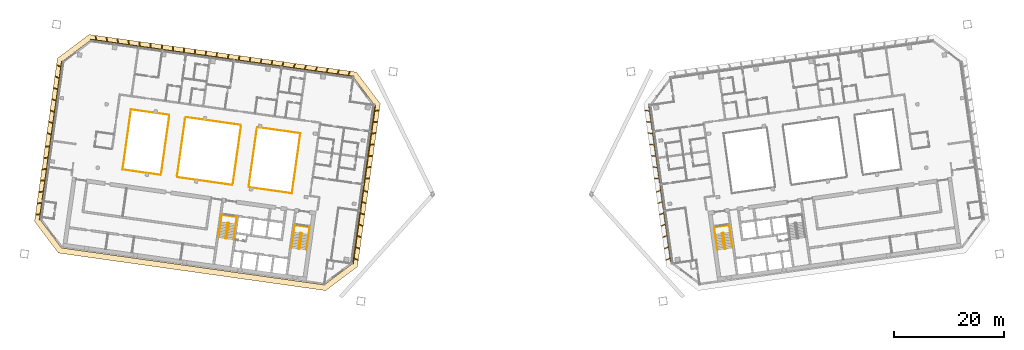
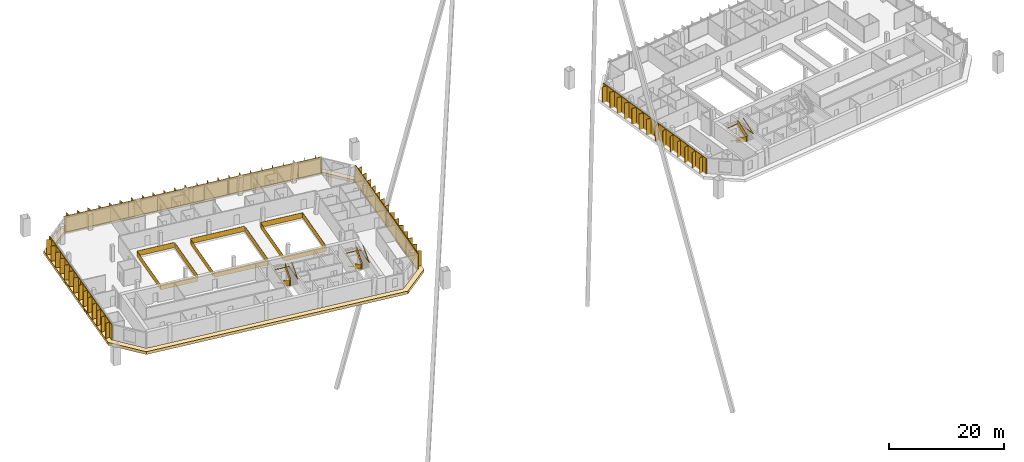
# One storey, part 25 of 26: 14 railings, 10 shading devices, 1 covering.
"""IFC4 building model written with IfcOpenShell, lengths in metres."""

from ifc_helpers import new_model, si_unit, direction, frame, origin, origin_2d, place, context, subcontext, project, spatial, polyline, rectangle, outline, extrude, material, layer, layer_set, type_object, element, save


model = new_model("IFC4")

# Units and contexts
model_context = context("Model", 3, precision=1e-05, world=origin(), true_north=direction((0.0, 1.0)))
body_context = subcontext(model_context, "Body", "Model", "MODEL_VIEW")
ifc_project = project(units=[si_unit("LENGTHUNIT", "METRE"), si_unit("AREAUNIT", "SQUARE_METRE"), si_unit("VOLUMEUNIT", "CUBIC_METRE"), si_unit("PLANEANGLEUNIT", "RADIAN"), si_unit("MASSUNIT", "GRAM", prefix="KILO")], contexts=[model_context])

# Site, building, storey
site_placement = place(None, origin())
site = spatial("IfcSite", under=ifc_project, at=site_placement, CompositionType="ELEMENT")
building_placement = place(site_placement, origin())
building = spatial("IfcBuilding", under=site, at=building_placement, Name="Mirante Cascada Hotel Towers", CompositionType="ELEMENT")
storey_placement = place(building_placement, frame((0.0, 0.0, 203.0)))
storey = spatial("IfcBuildingStorey", under=building, at=storey_placement, Name="L48", CompositionType="ELEMENT", Elevation=203.0)

# Railings
ifc_material_1 = material(Name="Toughened glass with stainless steel handrail", Category="steel")
railing_type_1 = type_object("IfcRailingType", Name="Atrium guard 1100 glass balustrade", PredefinedType="GUARDRAIL", material=ifc_material_1)
railing_1_placement = place(storey_placement, frame((-46.1612, 7.946, 0.0)))
element("IfcRailing", 1, at=railing_1_placement, inside=storey, type_object=railing_type_1, Name="GUARD 1-L48-1", PredefinedType="GUARDRAIL", context=body_context, shape_type="SweptSolid", body=[
    extrude(rectangle(XDim=0.048, YDim=0.048, at=origin_2d()), frame((0.0, 0.0, 1.076), z_axis=(0.9902684, -0.1391705, 0.0), x_axis=(0.1391705, 0.9902684, 0.0)), (0.0, 0.0, 1.0), 7.8882),
    extrude(rectangle(XDim=0.02, YDim=1.052, at=origin_2d()), frame((0.0, 0.0, 0.526), z_axis=(0.9902684, -0.1391705, 0.0), x_axis=(0.1391705, 0.9902684, 0.0)), (0.0, 0.0, 1.0), 7.8882),
    extrude(rectangle(XDim=0.048, YDim=0.048, at=origin_2d()), frame((7.8114, -1.0978, 1.076), z_axis=(-0.1391721, -0.9902682, 0.0), x_axis=(0.9902682, -0.1391721, 0.0)), (0.0, 0.0, 1.0), 11.0001),
    extrude(rectangle(XDim=0.02, YDim=1.052, at=origin_2d()), frame((7.8114, -1.0978, 0.526), z_axis=(-0.1391721, -0.9902682, 0.0), x_axis=(0.9902682, -0.1391721, 0.0)), (0.0, 0.0, 1.0), 11.0001),
    extrude(rectangle(XDim=0.048, YDim=0.048, at=origin_2d()), frame((6.2805, -11.9908, 1.076), z_axis=(-0.9902667, 0.139183, 0.0), x_axis=(-0.139183, -0.9902667, 0.0)), (0.0, 0.0, 1.0), 7.8882),
    extrude(rectangle(XDim=0.02, YDim=1.052, at=origin_2d()), frame((6.2805, -11.9908, 0.526), z_axis=(-0.9902667, 0.139183, 0.0), x_axis=(-0.139183, -0.9902667, 0.0)), (0.0, 0.0, 1.0), 7.8882),
])
railing_2_placement = place(storey_placement, frame((-50.663, -2.5294, 0.0)))
element("IfcRailing", 2, at=railing_2_placement, inside=storey, type_object=railing_type_1, Name="GUARD 1-L48-2", PredefinedType="GUARDRAIL", context=body_context, shape_type="SweptSolid", body=[
    extrude(rectangle(XDim=0.048, YDim=0.048, at=origin_2d()), frame((0.0, 0.0, 1.076), z_axis=(1.0, 0.0, 0.0), x_axis=(0.0, 1.0, 0.0)), (0.0, 0.0, 1.0), 0.0001),
    extrude(rectangle(XDim=0.02, YDim=1.052, at=origin_2d()), frame((0.0, 0.0, 0.526), z_axis=(1.0, 0.0, 0.0), x_axis=(0.0, 1.0, 0.0)), (0.0, 0.0, 1.0), 0.0001),
    extrude(rectangle(XDim=0.048, YDim=0.048, at=origin_2d()), frame((0.0001, 0.0, 1.076), z_axis=(-0.9902687, 0.1391687, 0.0), x_axis=(-0.1391687, -0.9902687, 0.0)), (0.0, 0.0, 1.0), 10.1194),
    extrude(rectangle(XDim=0.02, YDim=1.052, at=origin_2d()), frame((0.0001, 0.0, 0.526), z_axis=(-0.9902687, 0.1391687, 0.0), x_axis=(-0.1391687, -0.9902687, 0.0)), (0.0, 0.0, 1.0), 10.1194),
])
railing_3_placement = place(storey_placement, frame((-59.1529, 9.7719, 0.0)))
element("IfcRailing", 3, at=railing_3_placement, inside=storey, type_object=railing_type_1, Name="GUARD 1-L48-3", PredefinedType="GUARDRAIL", context=body_context, shape_type="SweptSolid", body=[
    extrude(rectangle(XDim=0.048, YDim=0.048, at=origin_2d()), frame((0.0, 0.0, 1.076), z_axis=(0.9902673, -0.1391784, 0.0), x_axis=(0.1391784, 0.9902673, 0.0)), (0.0, 0.0, 1.0), 10.1194),
    extrude(rectangle(XDim=0.02, YDim=1.052, at=origin_2d()), frame((0.0, 0.0, 0.526), z_axis=(0.9902673, -0.1391784, 0.0), x_axis=(0.1391784, 0.9902673, 0.0)), (0.0, 0.0, 1.0), 10.1194),
    extrude(rectangle(XDim=0.048, YDim=0.048, at=origin_2d()), frame((10.0209, -1.4084, 1.076), z_axis=(-1.0, 0.0, 0.0), x_axis=(0.0, -1.0, 0.0)), (0.0, 0.0, 1.0), 0.0001),
    extrude(rectangle(XDim=0.02, YDim=1.052, at=origin_2d()), frame((10.0209, -1.4084, 0.526), z_axis=(-1.0, 0.0, 0.0), x_axis=(0.0, -1.0, 0.0)), (0.0, 0.0, 1.0), 0.0001),
])
railing_4_placement = place(storey_placement, frame((-63.6546, -0.7036, 0.0)))
element("IfcRailing", 4, at=railing_4_placement, inside=storey, type_object=railing_type_1, Name="GUARD 1-L48-4", PredefinedType="GUARDRAIL", context=body_context, shape_type="SweptSolid", body=[
    extrude(rectangle(XDim=0.048, YDim=0.048, at=origin_2d()), frame((0.0, 0.0, 1.076), z_axis=(-0.9902673, 0.1391786, 0.0), x_axis=(-0.1391786, -0.9902673, 0.0)), (0.0, 0.0, 1.0), 6.9925),
    extrude(rectangle(XDim=0.02, YDim=1.052, at=origin_2d()), frame((0.0, 0.0, 0.526), z_axis=(-0.9902673, 0.1391786, 0.0), x_axis=(-0.1391786, -0.9902673, 0.0)), (0.0, 0.0, 1.0), 6.9925),
    extrude(rectangle(XDim=0.048, YDim=0.048, at=origin_2d()), frame((-6.9244, 0.9732, 1.076), z_axis=(0.1391733, 0.990268, 0.0), x_axis=(-0.990268, 0.1391733, 0.0)), (0.0, 0.0, 1.0), 11.0),
    extrude(rectangle(XDim=0.02, YDim=1.052, at=origin_2d()), frame((-6.9244, 0.9732, 0.526), z_axis=(0.1391733, 0.990268, 0.0), x_axis=(-0.990268, 0.1391733, 0.0)), (0.0, 0.0, 1.0), 11.0),
    extrude(rectangle(XDim=0.048, YDim=0.048, at=origin_2d()), frame((-5.3935, 11.8661, 1.076), z_axis=(0.9902693, -0.1391646, 0.0), x_axis=(0.1391646, 0.9902693, 0.0)), (0.0, 0.0, 1.0), 6.9924),
    extrude(rectangle(XDim=0.02, YDim=1.052, at=origin_2d()), frame((-5.3935, 11.8661, 0.526), z_axis=(0.9902693, -0.1391646, 0.0), x_axis=(0.1391646, 0.9902693, 0.0)), (0.0, 0.0, 1.0), 6.9924),
])
railing_5_placement = place(storey_placement, frame((-63.5649, -0.4176, 0.0)))
element("IfcRailing", 5, at=railing_5_placement, inside=storey, type_object=railing_type_1, Name="GUARD 1-L48-5", PredefinedType="GUARDRAIL", context=body_context, shape_type="SweptSolid", body=[
    extrude(rectangle(XDim=0.048, YDim=0.048, at=origin_2d()), frame((0.0, 0.0, 1.076), z_axis=(0.1391721, 0.9902682, 0.0), x_axis=(-0.9902682, 0.1391721, 0.0)), (0.0, 0.0, 1.0), 10.4087),
    extrude(rectangle(XDim=0.02, YDim=1.052, at=origin_2d()), frame((0.0, 0.0, 0.526), z_axis=(0.1391721, 0.9902682, 0.0), x_axis=(-0.9902682, 0.1391721, 0.0)), (0.0, 0.0, 1.0), 10.4087),
])
railing_6_placement = place(storey_placement, frame((-59.2426, 9.4859, 0.0)))
element("IfcRailing", 6, at=railing_6_placement, inside=storey, type_object=railing_type_1, Name="GUARD 1-L48-6", PredefinedType="GUARDRAIL", context=body_context, shape_type="SweptSolid", body=[
    extrude(rectangle(XDim=0.048, YDim=0.048, at=origin_2d()), frame((0.0, 0.0, 1.076), z_axis=(-0.1391721, -0.9902682, 0.0), x_axis=(0.9902682, -0.1391721, 0.0)), (0.0, 0.0, 1.0), 10.4087),
    extrude(rectangle(XDim=0.02, YDim=1.052, at=origin_2d()), frame((0.0, 0.0, 0.526), z_axis=(-0.1391721, -0.9902682, 0.0), x_axis=(0.9902682, -0.1391721, 0.0)), (0.0, 0.0, 1.0), 10.4087),
])
railing_7_placement = place(storey_placement, frame((-50.5732, -2.2435, 0.0)))
element("IfcRailing", 7, at=railing_7_placement, inside=storey, type_object=railing_type_1, Name="GUARD 1-L48-7", PredefinedType="GUARDRAIL", context=body_context, shape_type="SweptSolid", body=[
    extrude(rectangle(XDim=0.048, YDim=0.048, at=origin_2d()), frame((0.0, 0.0, 1.076), z_axis=(0.1391721, 0.9902682, 0.0), x_axis=(-0.9902682, 0.1391721, 0.0)), (0.0, 0.0, 1.0), 10.4087),
    extrude(rectangle(XDim=0.02, YDim=1.052, at=origin_2d()), frame((0.0, 0.0, 0.526), z_axis=(0.1391721, 0.9902682, 0.0), x_axis=(-0.9902682, 0.1391721, 0.0)), (0.0, 0.0, 1.0), 10.4087),
])
railing_8_placement = place(storey_placement, frame((-46.2509, 7.66, 0.0)))
element("IfcRailing", 8, at=railing_8_placement, inside=storey, type_object=railing_type_1, Name="GUARD 1-L48-8", PredefinedType="GUARDRAIL", context=body_context, shape_type="SweptSolid", body=[
    extrude(rectangle(XDim=0.048, YDim=0.048, at=origin_2d()), frame((0.0, 0.0, 1.076), z_axis=(-0.1391721, -0.9902682, 0.0), x_axis=(0.9902682, -0.1391721, 0.0)), (0.0, 0.0, 1.0), 10.4087),
    extrude(rectangle(XDim=0.02, YDim=1.052, at=origin_2d()), frame((0.0, 0.0, 0.526), z_axis=(-0.1391721, -0.9902682, 0.0), x_axis=(0.9902682, -0.1391721, 0.0)), (0.0, 0.0, 1.0), 10.4087),
])

# Covering
ifc_material_2 = material(Name="Precast concrete C40/50 white", Category="concrete")
ifc_layer = layer(ifc_material_2, 0.6)
ifc_layer_set = layer_set([ifc_layer], Name="Precast concrete SUNSHADE band 1000x600")
covering_type = type_object("IfcCoveringType", Name="Precast concrete SUNSHADE band 1000x600", PredefinedType="CLADDING", material=ifc_layer_set)
covering_placement = place(storey_placement, frame((0.0, 0.0, -0.45)))
element("IfcCovering", 9, at=covering_placement, inside=storey, type_object=covering_type, Name="Precast concrete SUNSHADE band T1 L48", PredefinedType="CLADDING", context=body_context, shape_type="SweptSolid", body=[
    extrude(outline(polyline([(-86.5404, -9.1145), (-85.1555, 0.7394), (-85.1436, 0.7602), (-85.1265, 0.798), (-85.1132, 0.8372), (-85.1039, 0.8776), (-85.0058, 1.4217), (-85.0004, 1.4629), (-84.9991, 1.5043), (-85.0019, 1.5457), (-85.0087, 1.5866), (-85.0195, 1.6266), (-85.0278, 1.6484), (-83.9017, 9.6606), (-83.8878, 9.6793), (-83.8664, 9.7148), (-83.8485, 9.7523), (-83.8345, 9.7913), (-83.8243, 9.8315), (-83.8181, 9.8725), (-83.7624, 10.4225), (-83.7603, 10.4639), (-83.7622, 10.5054), (-83.7682, 10.5464), (-83.774, 10.5697), (-82.3891, 20.4236), (-76.645, 24.7521), (-28.1885, 17.942), (-23.86, 12.1979), (-28.0113, -17.3403), (-33.7554, -21.6688), (-82.2119, -14.8586), (-86.5404, -9.1145)]), holes=[polyline([(-24.9079, 11.9268), (-28.7378, 17.0093), (-76.374, 23.7042), (-81.4565, 19.8742), (-85.4925, -8.8435), (-81.6626, -13.926), (-34.0264, -20.6209), (-28.9439, -16.7909), (-24.9079, 11.9268)])]), origin(), (0.0, 0.0, 1.0), 0.6),
])

# Railings
ifc_material_3 = material(Name="Painted steel", Category="steel")
railing_type_2 = type_object("IfcRailingType", Name="Stair guard 1100 steel balustrade", PredefinedType="GUARDRAIL", material=ifc_material_3)
railing_9_placement = place(storey_placement, frame((-38.1178, -11.2603, 0.0)))
element("IfcRailing", 10, at=railing_9_placement, inside=storey, type_object=railing_type_2, Name="L48 ST1-A stair guard 1", PredefinedType="GUARDRAIL", context=body_context, shape_type="SweptSolid", body=[
    extrude(rectangle(XDim=0.048, YDim=0.048, at=origin_2d()), frame((0.0, 0.0, 1.076), z_axis=(-0.9903326, 0.1387133, 0.0), x_axis=(-0.1387133, -0.9903326, 0.0)), (0.0, 0.0, 1.0), 0.1499),
    extrude(rectangle(XDim=0.02, YDim=1.052, at=origin_2d()), frame((0.0, 0.0, 0.526), z_axis=(-0.9903326, 0.1387133, 0.0), x_axis=(-0.1387133, -0.9903326, 0.0)), (0.0, 0.0, 1.0), 0.1499),
    extrude(rectangle(XDim=0.048, YDim=0.048, at=origin_2d()), frame((-0.1485, 0.0208, 1.076), z_axis=(-0.7991505, -0.6011309, 0.0), x_axis=(0.6011309, -0.7991505, 0.0)), (0.0, 0.9254529, 0.3788627), 0.1866),
    extrude(rectangle(XDim=0.02, YDim=1.052, at=origin_2d()), frame((-0.1485, 0.0208, 0.526), z_axis=(-0.7991505, -0.6011309, 0.0), x_axis=(0.6011309, -0.7991505, 0.0)), (0.0, 0.9254529, 0.3788627), 0.1866),
    extrude(rectangle(XDim=0.048, YDim=0.048, at=origin_2d()), frame((-0.205, -0.0217, 1.2487), z_axis=(-0.139176, -0.9902677, 0.0), x_axis=(0.9902677, -0.139176, 0.0)), (0.0, 0.5250212, 0.8510891), 3.29),
    extrude(rectangle(XDim=0.02, YDim=1.052, at=origin_2d()), frame((-0.205, -0.0217, 0.6987), z_axis=(-0.139176, -0.9902677, 0.0), x_axis=(0.9902677, -0.139176, 0.0)), (0.0, 0.5250212, 0.8510891), 3.29),
    extrude(rectangle(XDim=0.048, YDim=0.048, at=origin_2d()), frame((-0.5947, -2.7945, 2.976), z_axis=(0.9270311, -0.3749843, 0.0), x_axis=(0.3749843, 0.9270311, 0.0)), (0.0, 0.0, 1.0), 0.2061),
    extrude(rectangle(XDim=0.02, YDim=1.052, at=origin_2d()), frame((-0.5947, -2.7945, 2.426), z_axis=(0.9270311, -0.3749843, 0.0), x_axis=(0.3749843, 0.9270311, 0.0)), (0.0, 0.0, 1.0), 0.2061),
    extrude(rectangle(XDim=0.048, YDim=0.048, at=origin_2d()), frame((-0.4036, -2.8718, 2.976), z_axis=(-0.9902408, 0.1393672, 0.0), x_axis=(-0.1393672, -0.9902408, 0.0)), (0.0, 0.0, 1.0), 0.15),
    extrude(rectangle(XDim=0.02, YDim=1.052, at=origin_2d()), frame((-0.4036, -2.8718, 2.426), z_axis=(-0.9902408, 0.1393672, 0.0), x_axis=(-0.1393672, -0.9902408, 0.0)), (0.0, 0.0, 1.0), 0.15),
    extrude(rectangle(XDim=0.048, YDim=0.048, at=origin_2d()), frame((-0.5521, -2.8509, 2.976), z_axis=(0.9944948, 0.1047858, 0.0), x_axis=(-0.1047858, 0.9944948, 0.0)), (0.0, 0.6422034, 0.7665343), 0.2689),
    extrude(rectangle(XDim=0.02, YDim=1.052, at=origin_2d()), frame((-0.5521, -2.8509, 2.426), z_axis=(0.9944948, 0.1047858, 0.0), x_axis=(-0.1047858, 0.9944948, 0.0)), (0.0, 0.6422034, 0.7665343), 0.2689),
    extrude(rectangle(XDim=0.048, YDim=0.048, at=origin_2d()), frame((-0.3471, -2.8293, 3.1487), z_axis=(0.139176, 0.9902677, 0.0), x_axis=(-0.9902677, 0.139176, 0.0)), (0.0, 0.5250212, 0.8510891), 3.29),
    extrude(rectangle(XDim=0.02, YDim=1.052, at=origin_2d()), frame((-0.3471, -2.8293, 2.5987), z_axis=(0.139176, 0.9902677, 0.0), x_axis=(-0.9902677, 0.139176, 0.0)), (0.0, 0.5250212, 0.8510891), 3.29),
])
railing_10_placement = place(storey_placement, frame((-51.3379, -9.4024, 0.0)))
element("IfcRailing", 11, at=railing_10_placement, inside=storey, type_object=railing_type_2, Name="L48 ST1-B stair guard 1", PredefinedType="GUARDRAIL", context=body_context, shape_type="SweptSolid", body=[
    extrude(rectangle(XDim=0.048, YDim=0.048, at=origin_2d()), frame((0.0, 0.0, 1.076), z_axis=(-0.9902408, 0.1393672, 0.0), x_axis=(-0.1393672, -0.9902408, 0.0)), (0.0, 0.0, 1.0), 0.15),
    extrude(rectangle(XDim=0.02, YDim=1.052, at=origin_2d()), frame((0.0, 0.0, 0.526), z_axis=(-0.9902408, 0.1393672, 0.0), x_axis=(-0.1393672, -0.9902408, 0.0)), (0.0, 0.0, 1.0), 0.15),
    extrude(rectangle(XDim=0.048, YDim=0.048, at=origin_2d()), frame((-0.1485, 0.0209, 1.076), z_axis=(-0.7984711, -0.6020331, 0.0), x_axis=(0.6020331, -0.7984711, 0.0)), (0.0, 0.9253398, 0.3791387), 0.1866),
    extrude(rectangle(XDim=0.02, YDim=1.052, at=origin_2d()), frame((-0.1485, 0.0209, 0.526), z_axis=(-0.7984711, -0.6020331, 0.0), x_axis=(0.6020331, -0.7984711, 0.0)), (0.0, 0.9253398, 0.3791387), 0.1866),
    extrude(rectangle(XDim=0.048, YDim=0.048, at=origin_2d()), frame((-0.205, -0.0217, 1.2487), z_axis=(-0.139181, -0.990267, 0.0), x_axis=(0.990267, -0.139181, 0.0)), (0.0, 0.5250347, 0.8510808), 3.2899),
    extrude(rectangle(XDim=0.02, YDim=1.052, at=origin_2d()), frame((-0.205, -0.0217, 0.6987), z_axis=(-0.139181, -0.990267, 0.0), x_axis=(0.990267, -0.139181, 0.0)), (0.0, 0.5250347, 0.8510808), 3.2899),
    extrude(rectangle(XDim=0.048, YDim=0.048, at=origin_2d()), frame((-0.5947, -2.7944, 2.976), z_axis=(0.9268624, -0.3754011, 0.0), x_axis=(0.3754011, 0.9268624, 0.0)), (0.0, 0.0, 1.0), 0.2062),
    extrude(rectangle(XDim=0.02, YDim=1.052, at=origin_2d()), frame((-0.5947, -2.7944, 2.426), z_axis=(0.9268624, -0.3754011, 0.0), x_axis=(0.3754011, 0.9268624, 0.0)), (0.0, 0.0, 1.0), 0.2062),
    extrude(rectangle(XDim=0.048, YDim=0.048, at=origin_2d()), frame((-0.4036, -2.8718, 2.976), z_axis=(-0.9902408, 0.1393672, 0.0), x_axis=(-0.1393672, -0.9902408, 0.0)), (0.0, 0.0, 1.0), 0.15),
    extrude(rectangle(XDim=0.02, YDim=1.052, at=origin_2d()), frame((-0.4036, -2.8718, 2.426), z_axis=(-0.9902408, 0.1393672, 0.0), x_axis=(-0.1393672, -0.9902408, 0.0)), (0.0, 0.0, 1.0), 0.15),
    extrude(rectangle(XDim=0.048, YDim=0.048, at=origin_2d()), frame((-0.5521, -2.8509, 2.976), z_axis=(0.9944441, 0.1052656, 0.0), x_axis=(-0.1052656, 0.9944441, 0.0)), (0.0, 0.6421842, 0.7665504), 0.2689),
    extrude(rectangle(XDim=0.02, YDim=1.052, at=origin_2d()), frame((-0.5521, -2.8509, 2.426), z_axis=(0.9944441, 0.1052656, 0.0), x_axis=(-0.1052656, 0.9944441, 0.0)), (0.0, 0.6421842, 0.7665504), 0.2689),
    extrude(rectangle(XDim=0.048, YDim=0.048, at=origin_2d()), frame((-0.3471, -2.8292, 3.1487), z_axis=(0.139181, 0.990267, 0.0), x_axis=(-0.990267, 0.139181, 0.0)), (0.0, 0.5250347, 0.8510808), 3.2899),
    extrude(rectangle(XDim=0.02, YDim=1.052, at=origin_2d()), frame((-0.3471, -2.8292, 2.5987), z_axis=(0.139181, 0.990267, 0.0), x_axis=(-0.990267, 0.139181, 0.0)), (0.0, 0.5250347, 0.8510808), 3.2899),
])
railing_11_placement = place(storey_placement, frame((38.2663, -11.2395, 0.0)))
element("IfcRailing", 12, at=railing_11_placement, inside=storey, type_object=railing_type_2, Name="L48 ST2-A stair guard 1", PredefinedType="GUARDRAIL", context=body_context, shape_type="SweptSolid", body=[
    extrude(rectangle(XDim=0.048, YDim=0.048, at=origin_2d()), frame((0.0, 0.0, 1.076), z_axis=(-0.9903326, -0.1387133, 0.0), x_axis=(0.1387133, -0.9903326, 0.0)), (0.0, 0.0, 1.0), 0.1499),
    extrude(rectangle(XDim=0.02, YDim=1.052, at=origin_2d()), frame((0.0, 0.0, 0.526), z_axis=(-0.9903326, -0.1387133, 0.0), x_axis=(0.1387133, -0.9903326, 0.0)), (0.0, 0.0, 1.0), 0.1499),
    extrude(rectangle(XDim=0.048, YDim=0.048, at=origin_2d()), frame((-0.1485, -0.0208, 1.076), z_axis=(-0.6020331, -0.7984711, 0.0), x_axis=(0.7984711, -0.6020331, 0.0)), (0.0, 0.9253398, 0.3791387), 0.1866),
    extrude(rectangle(XDim=0.02, YDim=1.052, at=origin_2d()), frame((-0.1485, -0.0208, 0.526), z_axis=(-0.6020331, -0.7984711, 0.0), x_axis=(0.7984711, -0.6020331, 0.0)), (0.0, 0.9253398, 0.3791387), 0.1866),
    extrude(rectangle(XDim=0.048, YDim=0.048, at=origin_2d()), frame((-0.1911, -0.0773, 1.2487), z_axis=(0.139176, -0.9902677, 0.0), x_axis=(0.9902677, 0.139176, 0.0)), (0.0, 0.5250212, 0.8510891), 3.29),
    extrude(rectangle(XDim=0.02, YDim=1.052, at=origin_2d()), frame((-0.1911, -0.0773, 0.6987), z_axis=(0.139176, -0.9902677, 0.0), x_axis=(0.9902677, 0.139176, 0.0)), (0.0, 0.5250212, 0.8510891), 3.29),
    extrude(rectangle(XDim=0.048, YDim=0.048, at=origin_2d()), frame((0.1986, -2.8501, 2.976), z_axis=(0.9944948, -0.1047858, 0.0), x_axis=(0.1047858, 0.9944948, 0.0)), (0.0, 0.0, 1.0), 0.2061),
    extrude(rectangle(XDim=0.02, YDim=1.052, at=origin_2d()), frame((0.1986, -2.8501, 2.426), z_axis=(0.9944948, -0.1047858, 0.0), x_axis=(0.1047858, 0.9944948, 0.0)), (0.0, 0.0, 1.0), 0.2061),
    extrude(rectangle(XDim=0.048, YDim=0.048, at=origin_2d()), frame((0.4036, -2.8717, 2.976), z_axis=(-0.9902408, -0.1393672, 0.0), x_axis=(0.1393672, -0.9902408, 0.0)), (0.0, 0.0, 1.0), 0.15),
    extrude(rectangle(XDim=0.02, YDim=1.052, at=origin_2d()), frame((0.4036, -2.8717, 2.426), z_axis=(-0.9902408, -0.1393672, 0.0), x_axis=(0.1393672, -0.9902408, 0.0)), (0.0, 0.0, 1.0), 0.15),
    extrude(rectangle(XDim=0.048, YDim=0.048, at=origin_2d()), frame((0.2551, -2.8926, 2.976), z_axis=(0.9270311, 0.3749843, 0.0), x_axis=(-0.3749843, 0.9270311, 0.0)), (0.0, 0.6421903, 0.7665452), 0.2689),
    extrude(rectangle(XDim=0.02, YDim=1.052, at=origin_2d()), frame((0.2551, -2.8926, 2.426), z_axis=(0.9270311, 0.3749843, 0.0), x_axis=(-0.3749843, 0.9270311, 0.0)), (0.0, 0.6421903, 0.7665452), 0.2689),
    extrude(rectangle(XDim=0.048, YDim=0.048, at=origin_2d()), frame((0.4462, -2.8153, 3.1487), z_axis=(-0.139176, 0.9902677, 0.0), x_axis=(-0.9902677, -0.139176, 0.0)), (0.0, 0.5250212, 0.8510891), 3.29),
    extrude(rectangle(XDim=0.02, YDim=1.052, at=origin_2d()), frame((0.4462, -2.8153, 2.5987), z_axis=(-0.139176, 0.9902677, 0.0), x_axis=(-0.9902677, -0.139176, 0.0)), (0.0, 0.5250212, 0.8510891), 3.29),
])
ifc_material_4 = material(Name="Painted steel", Category="steel")
railing_type_3 = type_object("IfcRailingType", Name="Stair handrail 900 steel tube", PredefinedType="HANDRAIL", material=ifc_material_4)
railing_12_placement = place(storey_placement, frame((-39.5606, -11.1081, 0.1727)))
element("IfcRailing", 13, at=railing_12_placement, inside=storey, type_object=railing_type_3, Name="L48 ST1-A stair handrail 1", PredefinedType="HANDRAIL", context=body_context, shape_type="SweptSolid", body=[
    extrude(rectangle(XDim=0.048, YDim=0.048, at=origin_2d()), frame((0.0, 0.0, 0.876), z_axis=(-0.139181, -0.990267, 0.0), x_axis=(0.990267, -0.139181, 0.0)), (0.0, 0.5250347, 0.8510808), 3.2899),
    extrude(rectangle(XDim=0.048, YDim=0.048, at=origin_2d()), frame((-0.3897, -2.7727, 2.6033), z_axis=(0.1391707, 0.9902684, 0.0), x_axis=(-0.9902684, 0.1391707, 0.0)), (0.0, 0.0420846, 0.999114), 4.1036),
    extrude(rectangle(XDim=0.048, YDim=0.048, at=origin_2d()), frame((0.1809, 1.2874, 2.776), z_axis=(0.9902691, -0.1391657, 0.0), x_axis=(0.1391657, 0.9902691, 0.0)), (0.0, 0.0, 1.0), 2.75),
    extrude(rectangle(XDim=0.048, YDim=0.048, at=origin_2d()), frame((2.9041, 0.9047, 2.776), z_axis=(-0.1391707, -0.9902684, 0.0), x_axis=(0.9902684, -0.1391707, 0.0)), (0.0, 0.0, 1.0), 4.1),
    extrude(rectangle(XDim=0.048, YDim=0.048, at=origin_2d()), frame((2.3335, -3.1554, 2.776), z_axis=(0.139181, 0.990267, 0.0), x_axis=(-0.990267, 0.139181, 0.0)), (0.0, 0.5250347, 0.8510808), 3.2899),
])
railing_13_placement = place(storey_placement, frame((-52.7807, -9.2501, 0.1727)))
element("IfcRailing", 14, at=railing_13_placement, inside=storey, type_object=railing_type_3, Name="L48 ST1-B stair handrail 1", PredefinedType="HANDRAIL", context=body_context, shape_type="SweptSolid", body=[
    extrude(rectangle(XDim=0.048, YDim=0.048, at=origin_2d()), frame((0.0, 0.0, 0.876), z_axis=(-0.139181, -0.990267, 0.0), x_axis=(0.990267, -0.139181, 0.0)), (0.0, 0.5250347, 0.8510808), 3.2899),
    extrude(rectangle(XDim=0.048, YDim=0.048, at=origin_2d()), frame((-0.3897, -2.7727, 2.6033), z_axis=(0.1391707, 0.9902684, 0.0), x_axis=(-0.9902684, 0.1391707, 0.0)), (0.0, 0.0420846, 0.999114), 4.1036),
    extrude(rectangle(XDim=0.048, YDim=0.048, at=origin_2d()), frame((0.1809, 1.2874, 2.776), z_axis=(0.9902641, -0.1392013, 0.0), x_axis=(0.1392013, 0.9902641, 0.0)), (0.0, 0.0, 1.0), 2.75),
    extrude(rectangle(XDim=0.048, YDim=0.048, at=origin_2d()), frame((2.9041, 0.9046, 2.776), z_axis=(-0.1391707, -0.9902684, 0.0), x_axis=(0.9902684, -0.1391707, 0.0)), (0.0, 0.0, 1.0), 4.1),
    extrude(rectangle(XDim=0.048, YDim=0.048, at=origin_2d()), frame((2.3335, -3.1555, 2.776), z_axis=(0.139176, 0.9902677, 0.0), x_axis=(-0.9902677, 0.139176, 0.0)), (0.0, 0.5250212, 0.8510891), 3.29),
])
railing_14_placement = place(storey_placement, frame((36.8374, -11.4908, 0.1727)))
element("IfcRailing", 15, at=railing_14_placement, inside=storey, type_object=railing_type_3, Name="L48 ST2-A stair handrail 1", PredefinedType="HANDRAIL", context=body_context, shape_type="SweptSolid", body=[
    extrude(rectangle(XDim=0.048, YDim=0.048, at=origin_2d()), frame((0.0, 0.0, 0.876), z_axis=(0.139181, -0.990267, 0.0), x_axis=(0.990267, 0.139181, 0.0)), (0.0, 0.5250347, 0.8510808), 3.2899),
    extrude(rectangle(XDim=0.048, YDim=0.048, at=origin_2d()), frame((0.3897, -2.7727, 2.6033), z_axis=(-0.1391707, 0.9902684, 0.0), x_axis=(-0.9902684, -0.1391707, 0.0)), (0.0, 0.0420846, 0.999114), 4.1036),
    extrude(rectangle(XDim=0.048, YDim=0.048, at=origin_2d()), frame((-0.1809, 1.2874, 2.776), z_axis=(0.9902691, 0.1391657, 0.0), x_axis=(-0.1391657, 0.9902691, 0.0)), (0.0, 0.0, 1.0), 2.75),
    extrude(rectangle(XDim=0.048, YDim=0.048, at=origin_2d()), frame((2.5423, 1.6701, 2.776), z_axis=(0.1391707, -0.9902684, 0.0), x_axis=(0.9902684, 0.1391707, 0.0)), (0.0, 0.0, 1.0), 4.1),
    extrude(rectangle(XDim=0.048, YDim=0.048, at=origin_2d()), frame((3.1129, -2.39, 2.776), z_axis=(-0.139181, 0.990267, 0.0), x_axis=(-0.990267, -0.139181, 0.0)), (0.0, 0.5250347, 0.8510808), 3.2899),
])

# Shading devices
ifc_material_5 = material(Name="White precast concrete C50/60 fin", Category="concrete")
shading_device_type = type_object("IfcShadingDeviceType", Name="Vertical fin set 4500x900", PredefinedType="USERDEFINED", material=ifc_material_5)
shading_device_1_placement = place(storey_placement, origin())
element("IfcShadingDevice", 16, at=shading_device_1_placement, inside=storey, type_object=shading_device_type, Name="FIN T1 L48 front 1", ObjectType="FIN", PredefinedType="USERDEFINED", context=body_context, shape_type="SweptSolid", body=[
    extrude(outline(polyline([(-65.5134, 23.1671), (-65.4087, 22.3146), (-64.4441, 22.179), (-64.4649, 22.0305), (-76.374, 23.7042), (-76.3531, 23.8527), (-75.415, 23.7209), (-75.517, 24.5521), (-75.4376, 24.5619), (-75.3329, 23.7093), (-73.4301, 23.4419), (-73.5322, 24.2732), (-73.4528, 24.2829), (-73.3481, 23.4304), (-71.4453, 23.163), (-71.5473, 23.9942), (-71.4679, 24.004), (-71.3633, 23.1514), (-69.4604, 22.884), (-69.5625, 23.7153), (-69.4831, 23.725), (-69.3784, 22.8725), (-67.4756, 22.605), (-67.5777, 23.4363), (-67.4983, 23.4461), (-67.3936, 22.5935), (-65.4908, 22.3261), (-65.5928, 23.1574), (-65.5134, 23.1671)])), origin(), (0.0, 0.0, 1.0), 3.35),
])
shading_device_2_placement = place(storey_placement, origin())
element("IfcShadingDevice", 17, at=shading_device_2_placement, inside=storey, type_object=shading_device_type, Name="FIN T1 L48 front 2", ObjectType="FIN", PredefinedType="USERDEFINED", context=body_context, shape_type="SweptSolid", body=[
    extrude(outline(polyline([(-53.4474, 21.4919), (-53.492, 20.6398), (-52.535, 20.5053), (-52.5559, 20.3567), (-64.4649, 22.0305), (-64.4441, 22.179), (-63.4957, 22.0457), (-63.4514, 22.8909), (-63.3716, 22.8867), (-63.4162, 22.0345), (-61.5109, 21.7668), (-61.4666, 22.6119), (-61.3867, 22.6077), (-61.4314, 21.7556), (-59.5261, 21.4878), (-59.4818, 22.333), (-59.4019, 22.3288), (-59.4465, 21.4766), (-57.5412, 21.2089), (-57.4969, 22.054), (-57.417, 22.0498), (-57.4617, 21.1977), (-55.5564, 20.9299), (-55.5121, 21.7751), (-55.4322, 21.7709), (-55.4769, 20.9187), (-53.5715, 20.651), (-53.5272, 21.4961), (-53.4474, 21.4919)])), origin(), (0.0, 0.0, 1.0), 3.35),
])
shading_device_3_placement = place(storey_placement, origin())
element("IfcShadingDevice", 18, at=shading_device_3_placement, inside=storey, type_object=shading_device_type, Name="FIN T1 L48 front 3", ObjectType="FIN", PredefinedType="USERDEFINED", context=body_context, shape_type="SweptSolid", body=[
    extrude(outline(polyline([(-41.3839, 19.7895), (-41.5743, 18.9649), (-40.626, 18.8316), (-40.6469, 18.683), (-52.5559, 20.3567), (-52.535, 20.5053), (-51.578, 20.3708), (-51.3861, 21.2022), (-51.3081, 21.1842), (-51.4985, 20.3596), (-49.5932, 20.0918), (-49.4012, 20.9233), (-49.3233, 20.9053), (-49.5137, 20.0807), (-47.6084, 19.8129), (-47.4164, 20.6443), (-47.3384, 20.6263), (-47.5288, 19.8017), (-45.6235, 19.5339), (-45.4316, 20.3654), (-45.3536, 20.3474), (-45.544, 19.5228), (-43.6387, 19.255), (-43.4467, 20.0864), (-43.3688, 20.0684), (-43.5591, 19.2438), (-41.6538, 18.976), (-41.4619, 19.8075), (-41.3839, 19.7895)])), origin(), (0.0, 0.0, 1.0), 3.35),
])
shading_device_4_placement = place(storey_placement, origin())
element("IfcShadingDevice", 19, at=shading_device_4_placement, inside=storey, type_object=shading_device_type, Name="FIN T1 L48 front 4", ObjectType="FIN", PredefinedType="USERDEFINED", context=body_context, shape_type="SweptSolid", body=[
    extrude(outline(polyline([(-29.3278, 18.0607), (-29.6551, 17.2897), (-28.7169, 17.1579), (-28.7378, 17.0093), (-40.6469, 18.683), (-40.626, 18.8316), (-39.6613, 18.696), (-39.3257, 19.4867), (-39.252, 19.4554), (-39.5793, 18.6845), (-37.6765, 18.4171), (-37.3408, 19.2077), (-37.2672, 19.1765), (-37.5944, 18.4055), (-35.6916, 18.1381), (-35.356, 18.9288), (-35.2824, 18.8975), (-35.6096, 18.1266), (-33.7068, 17.8592), (-33.3712, 18.6498), (-33.2975, 18.6186), (-33.6248, 17.8476), (-31.7219, 17.5802), (-31.3863, 18.3709), (-31.3127, 18.3396), (-31.6399, 17.5687), (-29.7371, 17.3012), (-29.4015, 18.0919), (-29.3278, 18.0607)])), origin(), (0.0, 0.0, 1.0), 3.35),
])
shading_device_5_placement = place(storey_placement, origin())
element("IfcShadingDevice", 20, at=shading_device_5_placement, inside=storey, type_object=shading_device_type, Name="FIN T1 L48 inner 1", ObjectType="FIN", PredefinedType="USERDEFINED", context=body_context, shape_type="SweptSolid", body=[
    extrude(outline(polyline([(-26.6371, -1.455), (-26.7774, -2.4529), (-26.9259, -2.432), (-24.9079, 11.9268), (-24.7593, 11.906), (-24.8959, 10.9346), (-24.0646, 11.0367), (-24.0548, 10.9573), (-24.9074, 10.8526), (-25.1841, 8.8833), (-24.3529, 8.9854), (-24.3431, 8.906), (-25.1957, 8.8013), (-25.4724, 6.8321), (-24.6412, 6.9341), (-24.6314, 6.8547), (-25.484, 6.7501), (-25.7607, 4.7808), (-24.9294, 4.8829), (-24.9197, 4.8035), (-25.7722, 4.6988), (-26.049, 2.7295), (-25.2177, 2.8316), (-25.208, 2.7522), (-26.0605, 2.6475), (-26.3373, 0.6783), (-25.506, 0.7803), (-25.4963, 0.7009), (-26.3488, 0.5963), (-26.6256, -1.373), (-25.7943, -1.2709), (-25.7846, -1.3503), (-26.6371, -1.455)])), origin(), (0.0, 0.0, 1.0), 3.35),
])
shading_device_6_placement = place(storey_placement, origin())
element("IfcShadingDevice", 21, at=shading_device_6_placement, inside=storey, type_object=shading_device_type, Name="FIN T1 L48 inner 2", ObjectType="FIN", PredefinedType="USERDEFINED", context=body_context, shape_type="SweptSolid", body=[
    extrude(outline(polyline([(-28.6588, -15.8404), (-28.7954, -16.8118), (-28.9439, -16.7909), (-26.9259, -2.432), (-26.7774, -2.4529), (-26.9176, -3.4508), (-26.1269, -3.7864), (-26.1582, -3.8601), (-26.9291, -3.5328), (-27.2059, -5.5021), (-26.4152, -5.8377), (-26.4465, -5.9113), (-27.2174, -5.5841), (-27.4942, -7.5533), (-26.7035, -7.889), (-26.7348, -7.9626), (-27.5057, -7.6354), (-27.7825, -9.6046), (-26.9918, -9.9402), (-27.023, -10.0139), (-27.794, -9.6866), (-28.0707, -11.6559), (-27.2801, -11.9915), (-27.3113, -12.0651), (-28.0823, -11.7379), (-28.359, -13.7072), (-27.5684, -14.0428), (-27.5996, -14.1164), (-28.3706, -13.7892), (-28.6473, -15.7584), (-27.8567, -16.094), (-27.8879, -16.1677), (-28.6588, -15.8404)])), origin(), (0.0, 0.0, 1.0), 3.35),
])
shading_device_7_placement = place(storey_placement, origin())
element("IfcShadingDevice", 22, at=shading_device_7_placement, inside=storey, type_object=shading_device_type, Name="FIN T1 L48 outer 1", ObjectType="FIN", PredefinedType="USERDEFINED", context=body_context, shape_type="SweptSolid", body=[
    extrude(outline(polyline([(-85.493, -7.7693), (-85.2162, -5.8), (-86.0475, -5.9021), (-86.0572, -5.8227), (-85.2047, -5.718), (-84.9279, -3.7488), (-85.7592, -3.8508), (-85.769, -3.7714), (-84.9164, -3.6667), (-84.6396, -1.6975), (-85.4709, -1.7996), (-85.4807, -1.7202), (-84.6281, -1.6155), (-84.3514, 0.3538), (-85.1826, 0.2517), (-85.1924, 0.3311), (-84.3398, 0.4358), (-84.0631, 2.405), (-84.8943, 2.303), (-84.9041, 2.3824), (-84.0515, 2.4871), (-83.7748, 4.4563), (-84.6061, 4.3542), (-84.6158, 4.4336), (-83.7633, 4.5383), (-83.623, 5.5362), (-83.4745, 5.5153), (-85.4925, -8.8435), (-85.641, -8.8227), (-85.5045, -7.8513), (-86.3358, -7.9534), (-86.3455, -7.874), (-85.493, -7.7693)])), origin(), (0.0, 0.0, 1.0), 3.35),
])
shading_device_8_placement = place(storey_placement, origin())
element("IfcShadingDevice", 23, at=shading_device_8_placement, inside=storey, type_object=shading_device_type, Name="FIN T1 L48 outer 2", ObjectType="FIN", PredefinedType="USERDEFINED", context=body_context, shape_type="SweptSolid", body=[
    extrude(outline(polyline([(-83.4712, 6.6161), (-83.1945, 8.5854), (-83.9852, 8.921), (-83.9539, 8.9946), (-83.183, 8.6674), (-82.9062, 10.6367), (-83.6969, 10.9723), (-83.6656, 11.0459), (-82.8947, 10.7187), (-82.6179, 12.6879), (-83.4086, 13.0235), (-83.3773, 13.0972), (-82.6064, 12.7699), (-82.3296, 14.7392), (-83.1203, 15.0748), (-83.089, 15.1485), (-82.3181, 14.8212), (-82.0413, 16.7905), (-82.832, 17.1261), (-82.8007, 17.1997), (-82.0298, 16.8725), (-81.753, 18.8417), (-82.5437, 19.1774), (-82.5125, 19.251), (-81.7415, 18.9238), (-81.605, 19.8951), (-81.4565, 19.8742), (-83.4745, 5.5153), (-83.623, 5.5362), (-83.4828, 6.5341), (-84.2734, 6.8697), (-84.2422, 6.9434), (-83.4712, 6.6161)])), origin(), (0.0, 0.0, 1.0), 3.35),
])
shading_device_9_placement = place(storey_placement, origin())
element("IfcShadingDevice", 24, at=shading_device_9_placement, inside=storey, type_object=shading_device_type, Name="FIN T2 L48 inner 1", ObjectType="FIN", PredefinedType="USERDEFINED", context=body_context, shape_type="SweptSolid", body=[
    extrude(outline(polyline([(25.7943, -1.2709), (26.6256, -1.373), (26.3488, 0.5963), (25.4963, 0.7009), (25.506, 0.7803), (26.3373, 0.6783), (26.0605, 2.6475), (25.208, 2.7522), (25.2177, 2.8316), (26.049, 2.7295), (25.7722, 4.6988), (24.9197, 4.8035), (24.9294, 4.8829), (25.7607, 4.7808), (25.484, 6.7501), (24.6314, 6.8547), (24.6412, 6.9341), (25.4724, 6.8321), (25.1957, 8.8013), (24.3431, 8.906), (24.3529, 8.9854), (25.1841, 8.8833), (24.9074, 10.8526), (24.0548, 10.9573), (24.0646, 11.0367), (24.8959, 10.9346), (24.7593, 11.906), (24.9079, 11.9268), (26.9259, -2.432), (26.7774, -2.4529), (26.6371, -1.455), (25.7846, -1.3503), (25.7943, -1.2709)])), origin(), (0.0, 0.0, 1.0), 3.35),
])
shading_device_10_placement = place(storey_placement, origin())
element("IfcShadingDevice", 25, at=shading_device_10_placement, inside=storey, type_object=shading_device_type, Name="FIN T2 L48 inner 2", ObjectType="FIN", PredefinedType="USERDEFINED", context=body_context, shape_type="SweptSolid", body=[
    extrude(outline(polyline([(27.8567, -16.094), (28.6473, -15.7584), (28.3706, -13.7892), (27.5996, -14.1164), (27.5684, -14.0428), (28.359, -13.7072), (28.0823, -11.7379), (27.3113, -12.0651), (27.2801, -11.9915), (28.0707, -11.6559), (27.794, -9.6866), (27.023, -10.0139), (26.9918, -9.9402), (27.7825, -9.6046), (27.5057, -7.6354), (26.7348, -7.9626), (26.7035, -7.889), (27.4942, -7.5533), (27.2174, -5.5841), (26.4465, -5.9113), (26.4152, -5.8377), (27.2059, -5.5021), (26.9291, -3.5328), (26.1582, -3.8601), (26.1269, -3.7864), (26.9176, -3.4508), (26.7774, -2.4529), (26.9259, -2.432), (28.9439, -16.7909), (28.7954, -16.8118), (28.6588, -15.8404), (27.8879, -16.1677), (27.8567, -16.094)])), origin(), (0.0, 0.0, 1.0), 3.35),
])

save(model, "model.ifc")
